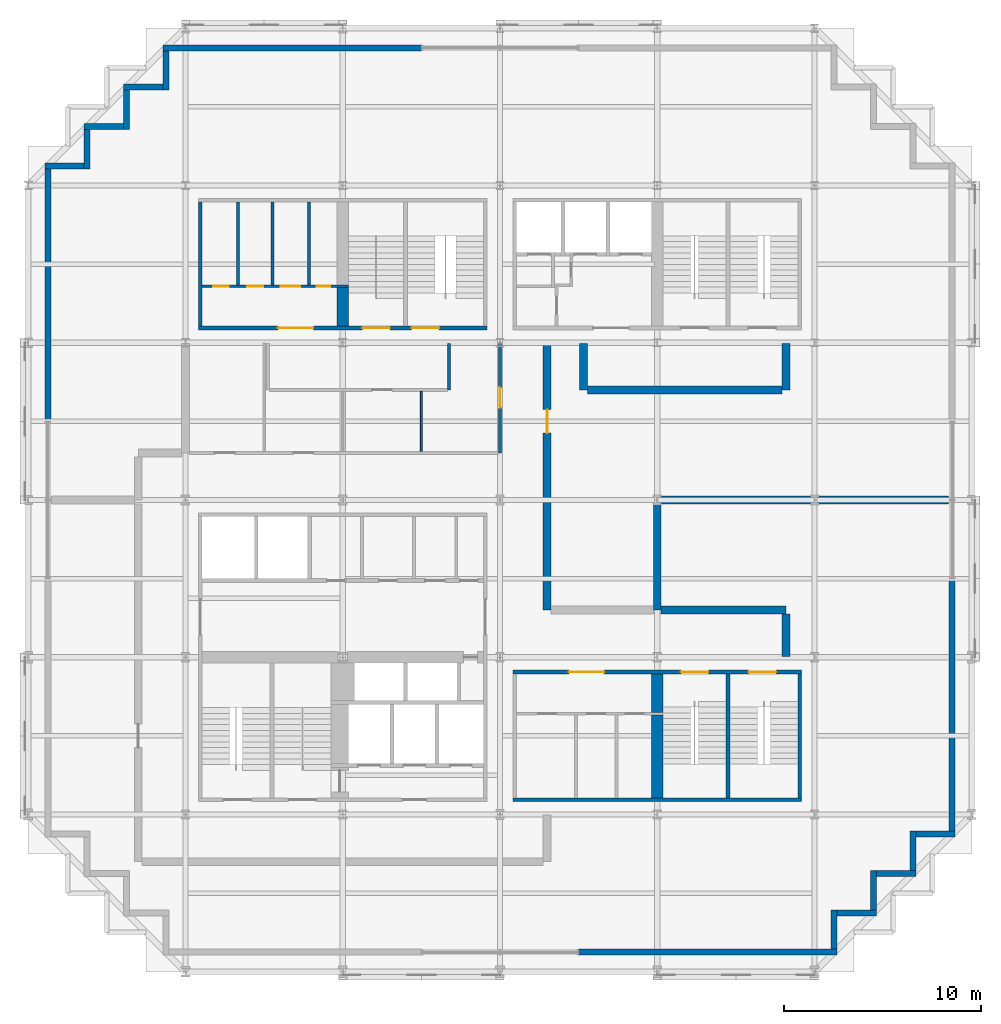
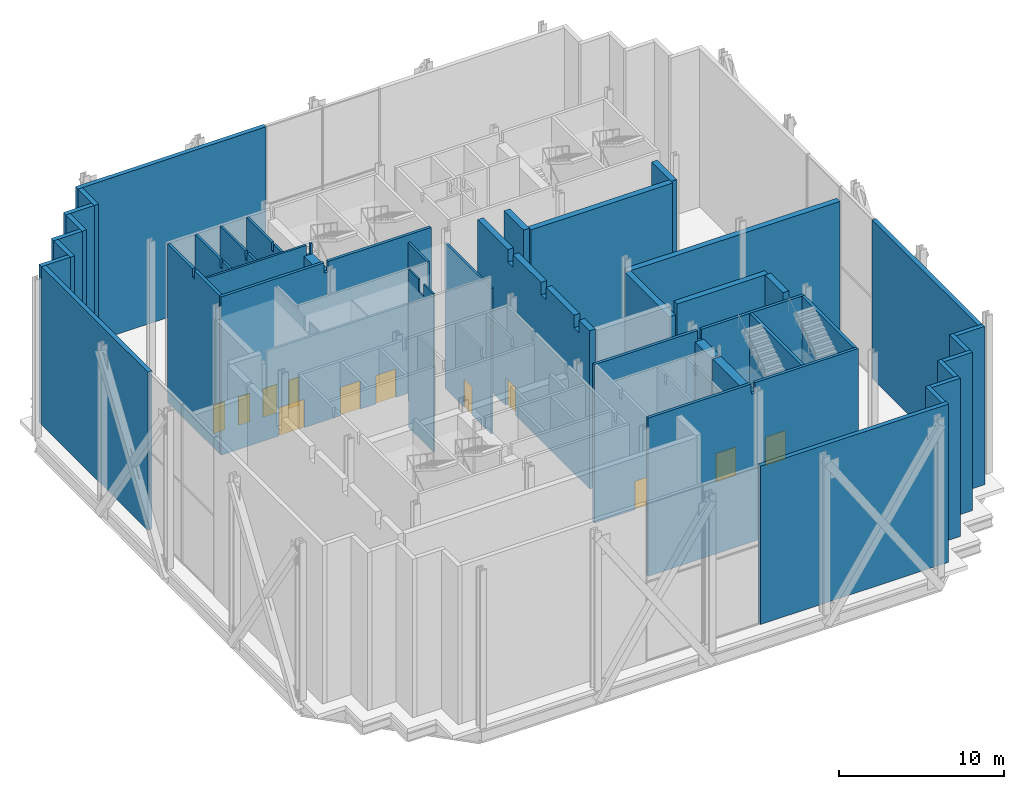
# One storey, part 9 of 14: 40 walls, 12 doors, 12 openings.
"""IFC4 building model written with IfcOpenShell, lengths in metres."""

import ifcopenshell
import ifcopenshell.guid

model = None  # the IFC model being written
_history = None  # IfcOwnerHistory: only IFC2X3 demands one
_inside = {}  # id of a spatial element -> (the spatial element, [elements in it])
_under = {}  # id of a project, library or spatial element -> (it, [spatial elements below it])
_declared = {}  # id of a project -> (the project, [libraries it declares])
_typed = {}  # id of a type object -> (the type object, [elements of that type])
_made_of = {}  # id of a material, layer set ... -> (it, [elements and type objects made of it])


def new_model(schema):
    """Start an empty IFC model of exactly this schema.

    Asked for "IFC4X3", IfcOpenShell would pick the latest addendum, in which some entities
    have other attributes; the version numbers below select the first issue.
    IFC2X3 requires an IfcOwnerHistory on every rooted entity: one is made here for all.
    """
    global model, _history
    if schema == "IFC4X3":
        model = ifcopenshell.file(schema_version=(4, 3, 0, 0))
    else:
        model = ifcopenshell.file(schema=schema)
    _inside.clear()
    _under.clear()
    _declared.clear()
    _typed.clear()
    _made_of.clear()
    _history = None
    if model.schema == "IFC2X3":
        org = make("IfcOrganization", Name="unknown")
        user = make(
            "IfcPersonAndOrganization",
            ThePerson=make("IfcPerson", FamilyName="unknown"),
            TheOrganization=org,
        )
        app = make(
            "IfcApplication",
            ApplicationDeveloper=org,
            Version="unknown",
            ApplicationFullName="unknown",
            ApplicationIdentifier="unknown",
        )
        _history = make(
            "IfcOwnerHistory",
            OwningUser=user,
            OwningApplication=app,
            ChangeAction="ADDED",
            CreationDate=0,
        )
    return model


def make(cls, **values):
    """One entity of the class cls with the attributes given. An attribute that is None is left unset."""
    return model.create_entity(
        cls, **{name: value for name, value in values.items() if value is not None}
    )


def rooted(cls, **values):
    """An entity with a GlobalId (a new one), such as an element, a storey or a relation."""
    return make(cls, GlobalId=ifcopenshell.guid.new(), OwnerHistory=_history, **values)


def si_unit(unit_type, name, prefix=None):
    """IfcSIUnit, for example si_unit("LENGTHUNIT", "METRE", prefix="MILLI")."""
    return make("IfcSIUnit", UnitType=unit_type, Prefix=prefix, Name=name)


def assignment(units):
    """IfcUnitAssignment: the units of a project."""
    return None if units is None else make("IfcUnitAssignment", Units=units)


def point(xyz):
    """IfcCartesianPoint."""
    return None if xyz is None else make("IfcCartesianPoint", Coordinates=xyz)


def direction(xyz):
    """IfcDirection."""
    return None if xyz is None else make("IfcDirection", DirectionRatios=xyz)


def frame(location, z_axis=None, x_axis=None):
    """IfcAxis2Placement3D, a coordinate frame: its origin and axes. An axis left out is left unset."""
    return make(
        "IfcAxis2Placement3D",
        Location=point(location),
        Axis=direction(z_axis),
        RefDirection=direction(x_axis),
    )


def frame_2d(location, x_axis=None):
    """IfcAxis2Placement2D, a coordinate frame in the plane: its origin and x axis."""
    return make(
        "IfcAxis2Placement2D", Location=point(location), RefDirection=direction(x_axis)
    )


def origin():
    """The frame at (0, 0, 0) with its axes left unset."""
    return frame((0.0, 0.0, 0.0))


def place(relative_to, where):
    """IfcLocalPlacement: puts the frame where relative to a parent placement (None: the world)."""
    return make(
        "IfcLocalPlacement", PlacementRelTo=relative_to, RelativePlacement=where
    )


def context(
    kind, dimensions, precision=None, world=None, true_north=None, identifier=None
):
    """IfcGeometricRepresentationContext, for example the 3D "Model" context."""
    return make(
        "IfcGeometricRepresentationContext",
        ContextIdentifier=identifier,
        ContextType=kind,
        CoordinateSpaceDimension=dimensions,
        Precision=precision,
        WorldCoordinateSystem=world,
        TrueNorth=true_north,
    )


def subcontext(parent, identifier, kind, view, scale=None):
    """IfcGeometricRepresentationSubContext, for example "Body" below "Model"."""
    return make(
        "IfcGeometricRepresentationSubContext",
        ContextIdentifier=identifier,
        ContextType=kind,
        ParentContext=parent,
        TargetScale=scale,
        TargetView=view,
    )


def project(units=None, contexts=None):
    """IfcProject with its units and contexts."""
    return rooted(
        "IfcProject",
        Name="project",
        RepresentationContexts=contexts,
        UnitsInContext=assignment(units),
    )


def spatial(cls, under=None, at=None, **own):
    """A site, building, storey or space (cls), placed at a placement, below another one or the project."""
    s = rooted(cls, ObjectPlacement=at, **own)
    if under is not None:
        _under.setdefault(under.id(), (under, []))[1].append(s)
    return s


def polyline(points):
    """IfcPolyline through the points."""
    return make("IfcPolyline", Points=[point(p) for p in points])


def profile(cls, at=None, kind="AREA", **sizes):
    """A parametric profile (cls). Its sizes go by their IFC names, for example OverallWidth=200.0."""
    return make(cls, ProfileType=kind, Position=at, **sizes)


def rectangle(**sizes):
    """IfcRectangleProfileDef."""
    return profile("IfcRectangleProfileDef", **sizes)


def outline(outer, holes=None, kind="AREA"):
    """IfcArbitraryClosedProfileDef: a profile drawn as a closed curve; with holes, ...WithVoids."""
    if holes is None:
        return make("IfcArbitraryClosedProfileDef", ProfileType=kind, OuterCurve=outer)
    return make(
        "IfcArbitraryProfileDefWithVoids",
        ProfileType=kind,
        OuterCurve=outer,
        InnerCurves=holes,
    )


def extrude(swept, where, along, depth):
    """IfcExtrudedAreaSolid: the profile swept, set in the frame where, extruded along a direction by depth."""
    return make(
        "IfcExtrudedAreaSolid",
        SweptArea=swept,
        Position=where,
        ExtrudedDirection=direction(along),
        Depth=depth,
    )


def shape(context_of_items, identifier, shape_type, items):
    """IfcShapeRepresentation: the items that make up one representation, for example the "Body"."""
    return make(
        "IfcShapeRepresentation",
        ContextOfItems=context_of_items,
        RepresentationIdentifier=identifier,
        RepresentationType=shape_type,
        Items=items,
    )


def material(Name=None, Category=None):
    """IfcMaterial."""
    return make("IfcMaterial", Name=Name, Category=Category)


def layer(
    of_material, thickness, ventilated=None, Name=None, Category=None, Priority=None
):
    """IfcMaterialLayer: one layer of a wall or slab, of a material (None: an air gap)."""
    return make(
        "IfcMaterialLayer",
        Material=of_material,
        LayerThickness=thickness,
        IsVentilated=ventilated,
        Name=Name,
        Category=Category,
        Priority=Priority,
    )


def layer_set(layers, Name=None):
    """IfcMaterialLayerSet."""
    return make("IfcMaterialLayerSet", MaterialLayers=layers, LayerSetName=Name)


def made_of(thing, what):
    """Note that an element or type object is made of a material, layer set ...; save() writes the relation."""
    if what is not None:
        _made_of.setdefault(what.id(), (what, []))[1].append(thing)
    return thing


def type_object(cls, material=None, **own):
    """A type object (cls), such as IfcWallType, which elements share."""
    return made_of(rooted(cls, **own), material)


def element(
    cls,
    number,
    at=None,
    inside=None,
    cuts=None,
    type_object=None,
    material=None,
    context=None,
    identifier="Body",
    shape_type=None,
    held_by="IfcProductDefinitionShape",
    body=None,
    shapes=None,
    **own,
):
    """One element of the class cls, such as IfcWall. Its Tag is "e" and its number.

    at: its placement. inside: the storey or other place that contains it. cuts: it is an
    opening in that element (IfcRelVoidsElement). A single representation is given by context,
    identifier, shape_type and body (its items); several are given by shapes. held_by: the class
    of the entity that holds the representations. save() writes the other relations.
    """
    e = rooted(cls, Tag="e%d" % number, ObjectPlacement=at, **own)
    if body is not None:
        shapes = [shape(context, identifier, shape_type, body)]
    if shapes is not None:
        e.Representation = make(held_by, Representations=shapes)
    if inside is not None:
        _inside.setdefault(inside.id(), (inside, []))[1].append(e)
    if cuts is not None:
        rooted(
            "IfcRelVoidsElement", RelatingBuildingElement=cuts, RelatedOpeningElement=e
        )
    if type_object is not None:
        _typed.setdefault(type_object.id(), (type_object, []))[1].append(e)
    return made_of(e, material)


def fill(opening, filler):
    """IfcRelFillsElement: the door or window that sits in an opening."""
    return rooted(
        "IfcRelFillsElement",
        RelatingOpeningElement=opening,
        RelatedBuildingElement=filler,
    )


def aggregate(whole, parts):
    """IfcRelAggregates: a whole, such as a stair, and the parts it consists of."""
    return rooted("IfcRelAggregates", RelatingObject=whole, RelatedObjects=parts)


def save(model, path):
    """Write the relations noted so far, then the file.

    IfcRelAggregates (storeys below a building ...), IfcRelContainedInSpatialStructure (elements
    in a storey), IfcRelDefinesByType, IfcRelAssociatesMaterial and IfcRelDeclares: one each for
    every whole, place, type object, material and project.
    """
    for whole, parts in _under.values():
        aggregate(whole, parts)
    for where, things in _inside.values():
        rooted(
            "IfcRelContainedInSpatialStructure",
            RelatedElements=things,
            RelatingStructure=where,
        )
    for kind, things in _typed.values():
        rooted("IfcRelDefinesByType", RelatedObjects=things, RelatingType=kind)
    for what, things in _made_of.values():
        rooted("IfcRelAssociatesMaterial", RelatedObjects=things, RelatingMaterial=what)
    for by, libraries in _declared.values():
        rooted("IfcRelDeclares", RelatingContext=by, RelatedDefinitions=libraries)
    model.write(path)


model = new_model("IFC4")

# Units and contexts
model_context = context("Model", 3, precision=1e-05, world=origin(), true_north=direction((0.0, 1.0)))
body_context = subcontext(model_context, "Body", "Model", "MODEL_VIEW")
ifc_project = project(units=[si_unit("LENGTHUNIT", "METRE"), si_unit("AREAUNIT", "SQUARE_METRE"), si_unit("VOLUMEUNIT", "CUBIC_METRE"), si_unit("PLANEANGLEUNIT", "RADIAN"), si_unit("MASSUNIT", "GRAM", prefix="KILO")], contexts=[model_context])

# Site, building, storey
site_placement = place(None, origin())
site = spatial("IfcSite", under=ifc_project, at=site_placement, CompositionType="ELEMENT")
building_placement = place(site_placement, origin())
building = spatial("IfcBuilding", under=site, at=building_placement, Name="Immortelle Media Tower", CompositionType="ELEMENT")
storey_placement = place(building_placement, frame((0.0, 0.0, 9.0)))
storey = spatial("IfcBuildingStorey", under=building, at=storey_placement, Name="L01", CompositionType="ELEMENT", Elevation=9.0)

# Wall, openings, doors
ifc_material_1 = material(Name="Fire-rated gypsum board", Category="gypsum")
ifc_layer_1 = layer(ifc_material_1, 0.02490234375)
ifc_material_2 = material(Name="Steel ASTM A653 SS Gr 50 stud frame with mineral wool", Category="steel")
ifc_layer_2 = layer(ifc_material_2, 0.10009765625)
ifc_layer_3 = layer(ifc_material_1, 0.02490234375)
ifc_layer_set_1 = layer_set([ifc_layer_1, ifc_layer_2, ifc_layer_3], Name="Steel ASTM A653 SS Gr 50 stud frame with mineral wool")
wall_type_1 = type_object("IfcWallType", Name="Core partition 150", PredefinedType="PARTITIONING", material=ifc_layer_set_1)
wall_1_placement = place(storey_placement, frame((8.85009765625, 34.875, 0.0), z_axis=(0.0, 0.0, 1.0), x_axis=(1.0, 0.0, 0.0)))
wall_1 = element("IfcWall", 1, at=wall_1_placement, inside=storey, type_object=wall_type_1, Name="Core partition NW", PredefinedType="PARTITIONING", context=body_context, shape_type="SweptSolid", body=[
    extrude(outline(polyline([(0.0, 0.0), (7.449951171875, 0.0), (7.449951171875, 11.699951171875), (7.28857421875, 11.699951171875), (7.28759765625, 10.931884765625), (7.012451171875, 10.931884765625), (7.011474609375, 11.699951171875), (0.0, 11.699951171875), (0.0, 0.0)])), frame((0.0, 0.074951171875, 0.0), z_axis=(0.0, -1.0, 0.0), x_axis=(1.0, 0.0, 0.0)), (0.0, 0.0, 1.0), 0.14990234375),
])
opening_1_placement = place(wall_1_placement, frame((0.550048828125, 0.0, 0.0)))
opening_1 = element("IfcOpeningElement", 2, at=opening_1_placement, cuts=wall_1, Name="Opening P1-K021", PredefinedType="OPENING", context=body_context, shape_type="SweptSolid", body=[
    extrude(rectangle(XDim=0.800048828125, YDim=2.10009765625, at=frame_2d((0.39990234375, 1.050048828125))), frame((0.0, 0.0849609375, 0.0), z_axis=(0.0, -1.0, 0.0), x_axis=(1.0, 0.0, 0.0)), (0.0, 0.0, 1.0), 0.169921875),
])
opening_2_placement = place(wall_1_placement, frame((2.300048828125, 0.0, 0.0)))
opening_2 = element("IfcOpeningElement", 3, at=opening_2_placement, cuts=wall_1, Name="Opening P1-K022", PredefinedType="OPENING", context=body_context, shape_type="SweptSolid", body=[
    extrude(rectangle(XDim=0.800048828125, YDim=2.10009765625, at=frame_2d((0.39990234375, 1.050048828125))), frame((0.0, 0.0849609375, 0.0), z_axis=(0.0, -1.0, 0.0), x_axis=(1.0, 0.0, 0.0)), (0.0, 0.0, 1.0), 0.169921875),
])
opening_3_placement = place(wall_1_placement, frame((4.0, 0.0, 0.0)))
opening_3 = element("IfcOpeningElement", 4, at=opening_3_placement, cuts=wall_1, Name="Opening P1-K023", PredefinedType="OPENING", context=body_context, shape_type="SweptSolid", body=[
    extrude(rectangle(XDim=1.0, YDim=2.10009765625, at=frame_2d((0.5, 1.050048828125))), frame((0.0, 0.0849609375, 0.0), z_axis=(0.0, -1.0, 0.0), x_axis=(1.0, 0.0, 0.0)), (0.0, 0.0, 1.0), 0.169921875),
])
opening_4_placement = place(wall_1_placement, frame((5.824951171875, 0.0, 0.0)))
opening_4 = element("IfcOpeningElement", 5, at=opening_4_placement, cuts=wall_1, Name="Opening P1-K025", PredefinedType="OPENING", context=body_context, shape_type="SweptSolid", body=[
    extrude(rectangle(XDim=0.699951171875, YDim=2.10009765625, at=frame_2d((0.35009765625, 1.050048828125))), frame((0.0, 0.0849609375, 0.0), z_axis=(0.0, -1.0, 0.0), x_axis=(1.0, 0.0, 0.0)), (0.0, 0.0, 1.0), 0.169921875),
])
ifc_material_3 = material(Name="Timber", Category="wood")
door_type_1 = type_object("IfcDoorType", Name="Accessible toilet door 1000 x 2100", OperationType="NOTDEFINED", PredefinedType="NOTDEFINED", material=ifc_material_3)
door_1_placement = place(opening_3_placement, origin())
door_1 = element("IfcDoor", 6, at=door_1_placement, inside=storey, type_object=door_type_1, Name="Accessible toilet P1-K023", OperationType="SINGLE_SWING_RIGHT", OverallHeight=2.10009765625, OverallWidth=1.0, PredefinedType="NOTDEFINED", context=body_context, shape_type="SweptSolid", body=[
    extrude(rectangle(XDim=1.0, YDim=2.10009765625, at=frame_2d((0.5, 1.050048828125))), frame((0.0, 0.02490234375, 0.0), z_axis=(0.0, -1.0, 0.0), x_axis=(1.0, 0.0, 0.0)), (0.0, 0.0, 1.0), 0.050048828125),
])
fill(opening_3, door_1)
ifc_material_4 = material(Name="Galvanised steel door leaf and frame ASTM A653", Category="steel")
door_type_2 = type_object("IfcDoorType", Name="Service door 700 x 2100", OperationType="NOTDEFINED", PredefinedType="NOTDEFINED", material=ifc_material_4)
door_2_placement = place(opening_4_placement, origin())
door_2 = element("IfcDoor", 7, at=door_2_placement, inside=storey, type_object=door_type_2, Name="Service P1-K025", OperationType="SINGLE_SWING_RIGHT", OverallHeight=2.10009765625, OverallWidth=0.699951171875, PredefinedType="NOTDEFINED", context=body_context, shape_type="SweptSolid", body=[
    extrude(rectangle(XDim=0.699951171875, YDim=2.10009765625, at=frame_2d((0.35009765625, 1.050048828125))), frame((0.0, 0.02490234375, 0.0), z_axis=(0.0, -1.0, 0.0), x_axis=(1.0, 0.0, 0.0)), (0.0, 0.0, 1.0), 0.050048828125),
])
fill(opening_4, door_2)
door_type_3 = type_object("IfcDoorType", Name="Toilet door 800 x 2100", OperationType="NOTDEFINED", PredefinedType="NOTDEFINED", material=ifc_material_3)
door_3_placement = place(opening_1_placement, origin())
door_3 = element("IfcDoor", 8, at=door_3_placement, inside=storey, type_object=door_type_3, Name="Toilet P1-K021", OperationType="SINGLE_SWING_RIGHT", OverallHeight=2.10009765625, OverallWidth=0.800048828125, PredefinedType="NOTDEFINED", context=body_context, shape_type="SweptSolid", body=[
    extrude(rectangle(XDim=0.800048828125, YDim=2.10009765625, at=frame_2d((0.39990234375, 1.050048828125))), frame((0.0, 0.02490234375, 0.0), z_axis=(0.0, -1.0, 0.0), x_axis=(1.0, 0.0, 0.0)), (0.0, 0.0, 1.0), 0.050048828125),
])
fill(opening_1, door_3)
door_4_placement = place(opening_2_placement, origin())
door_4 = element("IfcDoor", 9, at=door_4_placement, inside=storey, type_object=door_type_3, Name="Toilet P1-K022", OperationType="SINGLE_SWING_LEFT", OverallHeight=2.10009765625, OverallWidth=0.800048828125, PredefinedType="NOTDEFINED", context=body_context, shape_type="SweptSolid", body=[
    extrude(rectangle(XDim=0.800048828125, YDim=2.10009765625, at=frame_2d((0.39990234375, 1.050048828125))), frame((0.0, 0.02490234375, 0.0), z_axis=(0.0, -1.0, 0.0), x_axis=(1.0, 0.0, 0.0)), (0.0, 0.0, 1.0), 0.050048828125),
])
fill(opening_2, door_4)

# Walls
for number, where, z_axis, x_axis, name in (
    (10, (10.675048828125, 34.949951171875, 0.0), (0.0, 0.0, 1.0), (0.0, 1.0, 0.0), "Core partition NW"),
    (11, (12.425048828125, 34.949951171875, 0.0), (0.0, 0.0, 1.0), (0.0, 1.0, 0.0), "Core partition NW"),
    (12, (14.27490234375, 34.949951171875, 0.0), (0.0, 0.0, 1.0), (0.0, 1.0, 0.0), "Core partition NW"),
):
    element("IfcWall", number, at=place(storey_placement, frame(where, z_axis=z_axis, x_axis=x_axis)), inside=storey, type_object=wall_type_1, Name=name, PredefinedType="PARTITIONING", context=body_context, shape_type="SweptSolid", body=[
        extrude(outline(polyline([(0.0, 0.0), (4.199951171875, 0.0), (4.199951171875, 11.699951171875), (1.16943359375, 11.699951171875), (1.16845703125, 11.08203125), (0.931396484375, 11.08203125), (0.930419921875, 11.699951171875), (0.0, 11.699951171875), (0.0, 0.0)])), frame((0.0, 0.074951171875, 0.0), z_axis=(0.0, -1.0, 0.0), x_axis=(1.0, 0.0, 0.0)), (0.0, 0.0, 1.0), 0.14990234375),
    ])
ifc_layer_4 = layer(ifc_material_1, 0.03759765625)
ifc_layer_5 = layer(ifc_material_2, 0.125)
ifc_layer_6 = layer(ifc_material_1, 0.03759765625)
ifc_layer_set_2 = layer_set([ifc_layer_4, ifc_layer_5, ifc_layer_6], Name="Steel ASTM A653 SS Gr 50 stud frame with mineral wool")
wall_type_2 = type_object("IfcWallType", Name="Core shaft wall 200", PredefinedType="PARTITIONING", material=ifc_layer_set_2)
wall_2_placement = place(storey_placement, frame((8.75, 32.85009765625, 0.0), z_axis=(0.0, 0.0, 1.0), x_axis=(0.0, 1.0, 0.0)))
element("IfcWall", 13, at=wall_2_placement, inside=storey, type_object=wall_type_2, Name="Core shaft wall NW", PredefinedType="PARTITIONING", context=body_context, shape_type="SweptSolid", body=[
    extrude(outline(polyline([(0.0, 0.0), (6.2998046875, 0.0), (6.300048828125, 11.699951171875), (3.26953125, 11.699951171875), (3.2685546875, 11.08203125), (3.031494140625, 11.08203125), (3.030517578125, 11.699951171875), (0.0, 11.699951171875), (0.0, 0.0)])), frame((0.0, 0.10009765625, 0.0), z_axis=(0.0, -1.0, 0.0), x_axis=(1.0, 0.0, 0.0)), (0.0, 0.0, 1.0), 0.199951171875),
])

# Wall, opening, door
ifc_layer_7 = layer(ifc_material_1, 0.012451171875)
ifc_layer_8 = layer(ifc_material_2, 0.125)
ifc_layer_9 = layer(ifc_material_1, 0.012451171875)
ifc_layer_set_3 = layer_set([ifc_layer_7, ifc_layer_8, ifc_layer_9], Name="Steel ASTM A653 SS Gr 50 stud frame with mineral wool")
wall_type_3 = type_object("IfcWallType", Name="Corridor wall 150", PredefinedType="PARTITIONING", material=ifc_layer_set_3)
wall_3_placement = place(storey_placement, frame((24.0, 26.39990234375, 0.0), z_axis=(0.0, 0.0, 1.0), x_axis=(0.0, 1.0, 0.0)))
wall_3 = element("IfcWall", 14, at=wall_3_placement, inside=storey, type_object=wall_type_3, Name="Partition L01-018", PredefinedType="PARTITIONING", context=body_context, shape_type="SweptSolid", body=[
    extrude(rectangle(XDim=5.570068359375, YDim=0.14990234375, at=frame_2d((2.78515625, 0.0))), origin(), (0.0, 0.0, 1.0), 10.77294921875),
])
opening_5_placement = place(wall_3_placement, frame((2.300048828125, 0.0, 0.0)))
opening_5 = element("IfcOpeningElement", 15, at=opening_5_placement, cuts=wall_3, Name="Opening P1-F003", PredefinedType="OPENING", context=body_context, shape_type="SweptSolid", body=[
    extrude(rectangle(XDim=1.0, YDim=2.10009765625, at=frame_2d((0.5, 1.050048828125))), frame((0.0, 0.0849609375, 0.0), z_axis=(0.0, -1.0, 0.0), x_axis=(1.0, 0.0, 0.0)), (0.0, 0.0, 1.0), 0.169921875),
])
ifc_material_5 = material(Name="Timber veneered door leaf, galvanised steel frame ASTM A653", Category="steel")
door_type_4 = type_object("IfcDoorType", Name="Room door 1000 x 2100", OperationType="NOTDEFINED", PredefinedType="DOOR", material=ifc_material_5)
door_5_placement = place(opening_5_placement, origin())
door_5 = element("IfcDoor", 16, at=door_5_placement, inside=storey, type_object=door_type_4, Name="Door P1-F003", OperationType="SINGLE_SWING_LEFT", OverallHeight=2.10009765625, OverallWidth=1.0, PredefinedType="DOOR", context=body_context, shape_type="SweptSolid", body=[
    extrude(rectangle(XDim=1.0, YDim=2.10009765625, at=frame_2d((0.5, 1.050048828125))), frame((0.0, 0.02490234375, 0.0), z_axis=(0.0, -1.0, 0.0), x_axis=(1.0, 0.0, 0.0)), (0.0, 0.0, 1.0), 0.050048828125),
])
fill(opening_5, door_5)

# Walls
wall_4_placement = place(storey_placement, frame((21.39990234375, 29.60009765625, 0.0), z_axis=(0.0, 0.0, 1.0), x_axis=(0.0, 1.0, 0.0)))
element("IfcWall", 17, at=wall_4_placement, inside=storey, type_object=wall_type_3, Name="Partition L01-021", PredefinedType="PARTITIONING", context=body_context, shape_type="SweptSolid", body=[
    extrude(rectangle(XDim=2.369873046875, YDim=0.14990234375, at=frame_2d((1.18505859375, 0.0))), origin(), (0.0, 0.0, 1.0), 11.699951171875),
])
ifc_material_6 = material(Name="Pale aluminium cladding panel", Category="aluminium")
ifc_layer_10 = layer(ifc_material_6, 0.030029296875)
ifc_layer_11 = layer(ifc_material_2, 0.257568359375)
ifc_material_7 = material(Name="Moisture-resistant gypsum board", Category="gypsum")
ifc_layer_12 = layer(ifc_material_7, 0.012451171875)
ifc_layer_set_4 = layer_set([ifc_layer_10, ifc_layer_11, ifc_layer_12], Name="Steel ASTM A653 SS Gr 50 stud frame with mineral wool")
wall_type_4 = type_object("IfcWallType", Name="Pale metal clad wall 300", PredefinedType="STANDARD", material=ifc_layer_set_4)
wall_5_placement = place(storey_placement, frame((28.0, 1.0, 0.0), z_axis=(0.0, 0.0, 1.0), x_axis=(1.0, 0.0, 0.0)))
element("IfcWall", 18, at=wall_5_placement, inside=storey, type_object=wall_type_4, Name="Studio wall L01 S 7-3", PredefinedType="STANDARD", context=body_context, shape_type="SweptSolid", body=[
    extrude(rectangle(XDim=13.14990234375, YDim=0.300048828125, at=frame_2d((6.574951171875, 0.0))), origin(), (0.0, 0.0, 1.0), 11.699951171875),
])
for number, where, z_axis, x_axis, name in (
    (19, (41.0, 1.14990234375, 0.0), (0.0, 0.0, 1.0), (0.0, 1.0, 0.0), "Studio wall L01 E 8"),
    (20, (41.14990234375, 3.0, 0.0), (0.0, 0.0, 1.0), (1.0, 0.0, 0.0), "Studio wall L01 S 9"),
    (21, (43.0, 3.14990234375, 0.0), (0.0, 0.0, 1.0), (0.0, 1.0, 0.0), "Studio wall L01 E 10"),
    (22, (43.14990234375, 5.0, 0.0), (0.0, 0.0, 1.0), (1.0, 0.0, 0.0), "Studio wall L01 S 11"),
    (23, (45.0, 5.14990234375, 0.0), (0.0, 0.0, 1.0), (0.0, 1.0, 0.0), "Studio wall L01 E 12"),
    (24, (45.14990234375, 7.0, 0.0), (0.0, 0.0, 1.0), (1.0, 0.0, 0.0), "Studio wall L01 S 13"),
):
    element("IfcWall", number, at=place(storey_placement, frame(where, z_axis=z_axis, x_axis=x_axis)), inside=storey, type_object=wall_type_4, Name=name, PredefinedType="STANDARD", context=body_context, shape_type="SweptSolid", body=[
        extrude(rectangle(XDim=2.0, YDim=0.300048828125, at=frame_2d((1.0, 0.0))), origin(), (0.0, 0.0, 1.0), 11.699951171875),
    ])
wall_6_placement = place(storey_placement, frame((47.0, 7.14990234375, 0.0), z_axis=(0.0, 0.0, 1.0), x_axis=(0.0, 1.0, 0.0)))
element("IfcWall", 25, at=wall_6_placement, inside=storey, type_object=wall_type_4, Name="Studio wall L01 E 14-1", PredefinedType="STANDARD", context=body_context, shape_type="SweptSolid", body=[
    extrude(rectangle(XDim=12.85009765625, YDim=0.300048828125, at=frame_2d((6.425048828125, 0.0))), origin(), (0.0, 0.0, 1.0), 11.699951171875),
])
wall_7_placement = place(storey_placement, frame((20.0, 47.0, 0.0), z_axis=(0.0, 0.0, 1.0), x_axis=(-1.0, 0.0, 0.0)))
element("IfcWall", 26, at=wall_7_placement, inside=storey, type_object=wall_type_4, Name="Studio wall L01 N 21-3", PredefinedType="STANDARD", context=body_context, shape_type="SweptSolid", body=[
    extrude(rectangle(XDim=13.14990234375, YDim=0.300048828125, at=frame_2d((6.574951171875, 0.0))), origin(), (0.0, 0.0, 1.0), 11.699951171875),
])
for number, where, z_axis, x_axis, name in (
    (27, (7.0, 46.85009765625, 0.0), (0.0, 0.0, 1.0), (0.0, -1.0, 0.0), "Studio wall L01 W 22"),
    (28, (6.85009765625, 45.0, 0.0), (0.0, 0.0, 1.0), (-1.0, 0.0, 0.0), "Studio wall L01 N 23"),
    (29, (5.0, 44.85009765625, 0.0), (0.0, 0.0, 1.0), (0.0, -1.0, 0.0), "Studio wall L01 W 24"),
    (30, (4.85009765625, 43.0, 0.0), (0.0, 0.0, 1.0), (-1.0, 0.0, 0.0), "Studio wall L01 N 25"),
    (31, (3.0, 42.85009765625, 0.0), (0.0, 0.0, 1.0), (0.0, -1.0, 0.0), "Studio wall L01 W 26"),
    (32, (2.85009765625, 41.0, 0.0), (0.0, 0.0, 1.0), (-1.0, 0.0, 0.0), "Studio wall L01 N 27"),
):
    element("IfcWall", number, at=place(storey_placement, frame(where, z_axis=z_axis, x_axis=x_axis)), inside=storey, type_object=wall_type_4, Name=name, PredefinedType="STANDARD", context=body_context, shape_type="SweptSolid", body=[
        extrude(rectangle(XDim=2.0, YDim=0.300048828125, at=frame_2d((1.0, 0.0))), origin(), (0.0, 0.0, 1.0), 11.699951171875),
    ])
wall_8_placement = place(storey_placement, frame((1.0, 40.85009765625, 0.0), z_axis=(0.0, 0.0, 1.0), x_axis=(0.0, -1.0, 0.0)))
element("IfcWall", 33, at=wall_8_placement, inside=storey, type_object=wall_type_4, Name="Studio wall L01 W 28-1", PredefinedType="STANDARD", context=body_context, shape_type="SweptSolid", body=[
    extrude(rectangle(XDim=12.85009765625, YDim=0.300048828125, at=frame_2d((6.425048828125, 0.0))), origin(), (0.0, 0.0, 1.0), 11.699951171875),
])
ifc_material_8 = material(Name="Gypsum board", Category="gypsum")
ifc_layer_13 = layer(ifc_material_8, 0.012451171875)
ifc_layer_14 = layer(ifc_material_2, 0.074951171875)
ifc_layer_15 = layer(ifc_material_8, 0.012451171875)
ifc_layer_set_5 = layer_set([ifc_layer_13, ifc_layer_14, ifc_layer_15], Name="Steel ASTM A653 SS Gr 50 stud frame with mineral wool")
wall_type_5 = type_object("IfcWallType", Name="Partition 100", PredefinedType="PARTITIONING", material=ifc_layer_set_5)
wall_9_placement = place(storey_placement, frame((20.0, 26.47509765625, 0.0), z_axis=(0.0, 0.0, 1.0), x_axis=(0.0, 1.0, 0.0)))
element("IfcWall", 34, at=wall_9_placement, inside=storey, type_object=wall_type_5, Name="Partition L01-017", PredefinedType="PARTITIONING", context=body_context, shape_type="SweptSolid", body=[
    extrude(outline(polyline([(0.0, 0.0), (3.0498046875, 0.0), (3.050048828125, 11.699951171875), (1.824951171875, 11.699951171875), (1.822998046875, 10.77294921875), (1.22705078125, 10.77294921875), (1.22509765625, 11.699951171875), (0.0, 11.699951171875), (0.0, 0.0)])), frame((0.0, 0.050048828125, 0.0), z_axis=(0.0, -1.0, 0.0), x_axis=(1.0, 0.0, 0.0)), (0.0, 0.0, 1.0), 0.10009765625),
])
ifc_material_9 = material(Name="Concrete C60", Category="concrete")
ifc_layer_16 = layer(ifc_material_9, 0.199951171875)
ifc_layer_set_6 = layer_set([ifc_layer_16], Name="Concrete C60")
wall_type_6 = type_object("IfcWallType", Name="Stair shaft wall 200", PredefinedType="PARTITIONING", material=ifc_layer_set_6)
wall_10_placement = place(storey_placement, frame((24.64990234375, 8.75, 0.0), z_axis=(0.0, 0.0, 1.0), x_axis=(1.0, 0.0, 0.0)))
element("IfcWall", 35, at=wall_10_placement, inside=storey, type_object=wall_type_6, Name="Stair shaft wall SE", PredefinedType="PARTITIONING", context=body_context, shape_type="SweptSolid", body=[
    extrude(outline(polyline([(0.0, 0.0), (14.7001953125, 0.0), (14.699951171875, 11.699951171875), (7.488525390625, 11.699951171875), (7.487548828125, 10.931884765625), (7.21240234375, 10.931884765625), (7.21142578125, 11.699951171875), (0.0, 11.699951171875), (0.0, 0.0)])), frame((0.0, 0.10009765625, 0.0), z_axis=(0.0, -1.0, 0.0), x_axis=(1.0, 0.0, 0.0)), (0.0, 0.0, 1.0), 0.199951171875),
])

# Wall, openings, doors
wall_11_placement = place(storey_placement, frame((24.64990234375, 15.25, 0.0), z_axis=(0.0, 0.0, 1.0), x_axis=(1.0, 0.0, 0.0)))
wall_11 = element("IfcWall", 36, at=wall_11_placement, inside=storey, type_object=wall_type_6, Name="Stair shaft wall SE", PredefinedType="PARTITIONING", context=body_context, shape_type="SweptSolid", body=[
    extrude(outline(polyline([(0.0, 0.0), (14.7001953125, 0.0), (14.699951171875, 11.699951171875), (7.488525390625, 11.699951171875), (7.487548828125, 10.931884765625), (7.21240234375, 10.931884765625), (7.21142578125, 11.699951171875), (0.0, 11.699951171875), (0.0, 0.0)])), frame((0.0, 0.10009765625, 0.0), z_axis=(0.0, -1.0, 0.0), x_axis=(1.0, 0.0, 0.0)), (0.0, 0.0, 1.0), 0.199951171875),
])
opening_6_placement = place(wall_11_placement, frame((2.85009765625, 0.0, 0.0)))
opening_6 = element("IfcOpeningElement", 37, at=opening_6_placement, cuts=wall_11, Name="Opening P1-K016", PredefinedType="OPENING", context=body_context, shape_type="SweptSolid", body=[
    extrude(rectangle(XDim=1.800048828125, YDim=2.10009765625, at=frame_2d((0.89990234375, 1.050048828125))), frame((0.0, 0.10986328125, 0.0), z_axis=(0.0, -1.0, 0.0), x_axis=(1.0, 0.0, 0.0)), (0.0, 0.0, 1.0), 0.219970703125),
])
opening_7_placement = place(wall_11_placement, frame((9.949951171875, 0.0, 0.0), z_axis=(0.0, 0.0, 1.0), x_axis=(-1.0, 0.0, 0.0)))
opening_7 = element("IfcOpeningElement", 38, at=opening_7_placement, cuts=wall_11, Name="Opening P1-K019", PredefinedType="OPENING", context=body_context, shape_type="SweptSolid", body=[
    extrude(rectangle(XDim=1.39990234375, YDim=2.10009765625, at=frame_2d((0.699951171875, 1.050048828125))), frame((0.0, 0.10986328125, 0.0), z_axis=(0.0, -1.0, 0.0), x_axis=(1.0, 0.0, 0.0)), (0.0, 0.0, 1.0), 0.219970703125),
])
opening_8_placement = place(wall_11_placement, frame((13.39990234375, 0.0, 0.0), z_axis=(0.0, 0.0, 1.0), x_axis=(-1.0, 0.0, 0.0)))
opening_8 = element("IfcOpeningElement", 39, at=opening_8_placement, cuts=wall_11, Name="Opening P1-K020", PredefinedType="OPENING", context=body_context, shape_type="SweptSolid", body=[
    extrude(rectangle(XDim=1.39990234375, YDim=2.10009765625, at=frame_2d((0.699951171875, 1.050048828125))), frame((0.0, 0.10986328125, 0.0), z_axis=(0.0, -1.0, 0.0), x_axis=(1.0, 0.0, 0.0)), (0.0, 0.0, 1.0), 0.219970703125),
])
door_type_5 = type_object("IfcDoorType", Name="Lift lobby door 1800 x 2100", OperationType="DOUBLE_DOOR_SINGLE_SWING", PredefinedType="NOTDEFINED", material=ifc_material_4)
door_6_placement = place(opening_6_placement, origin())
door_6 = element("IfcDoor", 40, at=door_6_placement, inside=storey, type_object=door_type_5, Name="Lift lobby P1-K016", OperationType="DOUBLE_DOOR_SINGLE_SWING", OverallHeight=2.10009765625, OverallWidth=1.800048828125, PredefinedType="NOTDEFINED", context=body_context, shape_type="SweptSolid", body=[
    extrude(rectangle(XDim=1.800048828125, YDim=2.10009765625, at=frame_2d((0.89990234375, 1.050048828125))), frame((0.0, 0.02490234375, 0.0), z_axis=(0.0, -1.0, 0.0), x_axis=(1.0, 0.0, 0.0)), (0.0, 0.0, 1.0), 0.050048828125),
])
fill(opening_6, door_6)
door_type_6 = type_object("IfcDoorType", Name="Stair door 1400 x 2100", OperationType="DOUBLE_DOOR_SINGLE_SWING", PredefinedType="NOTDEFINED", material=ifc_material_4)
door_7_placement = place(opening_7_placement, origin())
door_7 = element("IfcDoor", 41, at=door_7_placement, inside=storey, type_object=door_type_6, Name="Stair P1-K019", OperationType="DOUBLE_DOOR_SINGLE_SWING", OverallHeight=2.10009765625, OverallWidth=1.39990234375, PredefinedType="NOTDEFINED", context=body_context, shape_type="SweptSolid", body=[
    extrude(rectangle(XDim=1.39990234375, YDim=2.10009765625, at=frame_2d((0.699951171875, 1.050048828125))), frame((0.0, 0.02490234375, 0.0), z_axis=(0.0, -1.0, 0.0), x_axis=(1.0, 0.0, 0.0)), (0.0, 0.0, 1.0), 0.050048828125),
])
fill(opening_7, door_7)
door_8_placement = place(opening_8_placement, origin())
door_8 = element("IfcDoor", 42, at=door_8_placement, inside=storey, type_object=door_type_6, Name="Stair P1-K020", OperationType="DOUBLE_DOOR_SINGLE_SWING", OverallHeight=2.10009765625, OverallWidth=1.39990234375, PredefinedType="NOTDEFINED", context=body_context, shape_type="SweptSolid", body=[
    extrude(rectangle(XDim=1.39990234375, YDim=2.10009765625, at=frame_2d((0.699951171875, 1.050048828125))), frame((0.0, 0.02490234375, 0.0), z_axis=(0.0, -1.0, 0.0), x_axis=(1.0, 0.0, 0.0)), (0.0, 0.0, 1.0), 0.050048828125),
])
fill(opening_8, door_8)

# Walls
for number, where, z_axis, x_axis, name in (
    (43, (35.60009765625, 8.85009765625, 0.0), (0.0, 0.0, 1.0), (0.0, 1.0, 0.0), "Stair shaft wall SE"),
    (44, (39.25, 8.85009765625, 0.0), (0.0, 0.0, 1.0), (0.0, 1.0, 0.0), "Stair shaft wall SE"),
):
    element("IfcWall", number, at=place(storey_placement, frame(where, z_axis=z_axis, x_axis=x_axis)), inside=storey, type_object=wall_type_6, Name=name, PredefinedType="PARTITIONING", context=body_context, shape_type="SweptSolid", body=[
        extrude(rectangle(XDim=6.2998046875, YDim=0.199951171875, at=frame_2d((3.14990234375, 0.0))), origin(), (0.0, 0.0, 1.0), 11.699951171875),
    ])

# Wall, openings, doors
wall_12_placement = place(storey_placement, frame((8.64990234375, 32.75, 0.0), z_axis=(0.0, 0.0, 1.0), x_axis=(1.0, 0.0, 0.0)))
wall_12 = element("IfcWall", 45, at=wall_12_placement, inside=storey, type_object=wall_type_6, Name="Stair shaft wall NW", PredefinedType="PARTITIONING", context=body_context, shape_type="SweptSolid", body=[
    extrude(outline(polyline([(0.0, 0.0), (14.7001953125, 0.0), (14.699951171875, 11.699951171875), (7.488525390625, 11.699951171875), (7.487548828125, 10.931884765625), (7.21240234375, 10.931884765625), (7.21142578125, 11.699951171875), (0.0, 11.699951171875), (0.0, 0.0)])), frame((0.0, 0.10009765625, 0.0), z_axis=(0.0, -1.0, 0.0), x_axis=(1.0, 0.0, 0.0)), (0.0, 0.0, 1.0), 0.199951171875),
])
opening_9_placement = place(wall_12_placement, frame((4.050048828125, 0.0, 0.0)))
opening_9 = element("IfcOpeningElement", 46, at=opening_9_placement, cuts=wall_12, Name="Opening P1-K024", PredefinedType="OPENING", context=body_context, shape_type="SweptSolid", body=[
    extrude(rectangle(XDim=1.800048828125, YDim=2.10009765625, at=frame_2d((0.89990234375, 1.050048828125))), frame((0.0, 0.10986328125, 0.0), z_axis=(0.0, -1.0, 0.0), x_axis=(1.0, 0.0, 0.0)), (0.0, 0.0, 1.0), 0.219970703125),
])
opening_10_placement = place(wall_12_placement, frame((8.35009765625, 0.0, 0.0)))
opening_10 = element("IfcOpeningElement", 47, at=opening_10_placement, cuts=wall_12, Name="Opening P1-K026", PredefinedType="OPENING", context=body_context, shape_type="SweptSolid", body=[
    extrude(rectangle(XDim=1.39990234375, YDim=2.10009765625, at=frame_2d((0.699951171875, 1.050048828125))), frame((0.0, 0.10986328125, 0.0), z_axis=(0.0, -1.0, 0.0), x_axis=(1.0, 0.0, 0.0)), (0.0, 0.0, 1.0), 0.219970703125),
])
opening_11_placement = place(wall_12_placement, frame((10.85009765625, 0.0, 0.0)))
opening_11 = element("IfcOpeningElement", 48, at=opening_11_placement, cuts=wall_12, Name="Opening P1-K027", PredefinedType="OPENING", context=body_context, shape_type="SweptSolid", body=[
    extrude(rectangle(XDim=1.39990234375, YDim=2.10009765625, at=frame_2d((0.699951171875, 1.050048828125))), frame((0.0, 0.10986328125, 0.0), z_axis=(0.0, -1.0, 0.0), x_axis=(1.0, 0.0, 0.0)), (0.0, 0.0, 1.0), 0.219970703125),
])
door_9_placement = place(opening_9_placement, origin())
door_9 = element("IfcDoor", 49, at=door_9_placement, inside=storey, type_object=door_type_5, Name="Lift lobby P1-K024", OperationType="DOUBLE_DOOR_SINGLE_SWING", OverallHeight=2.10009765625, OverallWidth=1.800048828125, PredefinedType="NOTDEFINED", context=body_context, shape_type="SweptSolid", body=[
    extrude(rectangle(XDim=1.800048828125, YDim=2.10009765625, at=frame_2d((0.89990234375, 1.050048828125))), frame((0.0, 0.02490234375, 0.0), z_axis=(0.0, -1.0, 0.0), x_axis=(1.0, 0.0, 0.0)), (0.0, 0.0, 1.0), 0.050048828125),
])
fill(opening_9, door_9)
door_10_placement = place(opening_10_placement, origin())
door_10 = element("IfcDoor", 50, at=door_10_placement, inside=storey, type_object=door_type_6, Name="Stair P1-K026", OperationType="DOUBLE_DOOR_SINGLE_SWING", OverallHeight=2.10009765625, OverallWidth=1.39990234375, PredefinedType="NOTDEFINED", context=body_context, shape_type="SweptSolid", body=[
    extrude(rectangle(XDim=1.39990234375, YDim=2.10009765625, at=frame_2d((0.699951171875, 1.050048828125))), frame((0.0, 0.02490234375, 0.0), z_axis=(0.0, -1.0, 0.0), x_axis=(1.0, 0.0, 0.0)), (0.0, 0.0, 1.0), 0.050048828125),
])
fill(opening_10, door_10)
door_11_placement = place(opening_11_placement, origin())
door_11 = element("IfcDoor", 51, at=door_11_placement, inside=storey, type_object=door_type_6, Name="Stair P1-K027", OperationType="DOUBLE_DOOR_SINGLE_SWING", OverallHeight=2.10009765625, OverallWidth=1.39990234375, PredefinedType="NOTDEFINED", context=body_context, shape_type="SweptSolid", body=[
    extrude(rectangle(XDim=1.39990234375, YDim=2.10009765625, at=frame_2d((0.699951171875, 1.050048828125))), frame((0.0, 0.02490234375, 0.0), z_axis=(0.0, -1.0, 0.0), x_axis=(1.0, 0.0, 0.0)), (0.0, 0.0, 1.0), 0.050048828125),
])
fill(opening_11, door_11)

# Walls
ifc_layer_17 = layer(ifc_material_9, 0.60009765625)
ifc_layer_set_7 = layer_set([ifc_layer_17], Name="Concrete C60")
wall_type_7 = type_object("IfcWallType", Name="Stair shaft wall 600", PredefinedType="PARTITIONING", material=ifc_layer_set_7)
wall_13_placement = place(storey_placement, frame((32.0, 8.85009765625, 0.0), z_axis=(0.0, 0.0, 1.0), x_axis=(0.0, 1.0, 0.0)))
element("IfcWall", 52, at=wall_13_placement, inside=storey, type_object=wall_type_7, Name="Stair shaft wall SE", PredefinedType="PARTITIONING", context=body_context, shape_type="SweptSolid", body=[
    extrude(rectangle(XDim=4.199951171875, YDim=0.60009765625, at=frame_2d((2.10009765625, 0.0))), origin(), (0.0, 0.0, 1.0), 10.931884765625),
])
for number, where, z_axis, x_axis, name in (
    (53, (32.0, 13.199951171875, 0.0), (0.0, 0.0, 1.0), (0.0, 1.0, 0.0), "Stair shaft wall SE"),
    (54, (16.0, 32.85009765625, 0.0), (0.0, 0.0, 1.0), (0.0, 1.0, 0.0), "Stair shaft wall NW"),
):
    element("IfcWall", number, at=place(storey_placement, frame(where, z_axis=z_axis, x_axis=x_axis)), inside=storey, type_object=wall_type_7, Name=name, PredefinedType="PARTITIONING", context=body_context, shape_type="SweptSolid", body=[
        extrude(rectangle(XDim=1.949951171875, YDim=0.60009765625, at=frame_2d((0.97509765625, 0.0))), origin(), (0.0, 0.0, 1.0), 10.931884765625),
    ])
ifc_material_10 = material(Name="Acoustic masonry blockwork", Category="masonry")
ifc_layer_18 = layer(ifc_material_10, 0.39990234375)
ifc_layer_set_8 = layer_set([ifc_layer_18], Name="Acoustic masonry blockwork")
wall_type_8 = type_object("IfcWallType", Name="Studio shell 400", PredefinedType="PARTITIONING", material=ifc_layer_set_8)
wall_14_placement = place(storey_placement, frame((38.550048828125, 16.030029296875, 0.0), z_axis=(0.0, 0.0, 1.0), x_axis=(0.0, 1.0, 0.0)))
element("IfcWall", 55, at=wall_14_placement, inside=storey, type_object=wall_type_8, Name="Partition L01-004", PredefinedType="PARTITIONING", context=body_context, shape_type="SweptSolid", body=[
    extrude(rectangle(XDim=2.169921875, YDim=0.39990234375, at=frame_2d((1.0849609375, 0.0))), origin(), (0.0, 0.0, 1.0), 11.699951171875),
])

# Wall, opening, door
wall_15_placement = place(storey_placement, frame((26.39990234375, 18.39990234375, 0.0), z_axis=(0.0, 0.0, 1.0), x_axis=(0.0, 1.0, 0.0)))
wall_15 = element("IfcWall", 56, at=wall_15_placement, inside=storey, type_object=wall_type_8, Name="Partition L01-006", PredefinedType="PARTITIONING", context=body_context, shape_type="SweptSolid", body=[
    extrude(outline(polyline([(0.0, 0.0), (13.570068359375, 0.0), (13.570068359375, 11.699951171875), (9.89990234375, 11.699951171875), (9.89794921875, 10.77294921875), (9.302001953125, 10.77294921875), (9.300048828125, 11.699951171875), (5.89990234375, 11.699951171875), (5.89794921875, 10.77294921875), (5.302001953125, 10.77294921875), (5.300048828125, 11.699951171875), (1.89990234375, 11.699951171875), (1.89794921875, 10.77294921875), (1.302001953125, 10.77294921875), (1.300048828125, 11.699951171875), (0.0, 11.699951171875), (0.0, 0.0)])), frame((0.0, 0.199951171875, 0.0), z_axis=(0.0, -1.0, 0.0), x_axis=(1.0, 0.0, 0.0)), (0.0, 0.0, 1.0), 0.39990234375),
])
opening_12_placement = place(wall_15_placement, frame((10.199951171875, 0.0, 0.0), z_axis=(0.0, 0.0, 1.0), x_axis=(-1.0, 0.0, 0.0)))
opening_12 = element("IfcOpeningElement", 57, at=opening_12_placement, cuts=wall_15, Name="Opening P1-F006", PredefinedType="OPENING", context=body_context, shape_type="SweptSolid", body=[
    extrude(rectangle(XDim=1.199951171875, YDim=2.10009765625, at=frame_2d((0.60009765625, 1.050048828125))), frame((0.0, 0.2099609375, 0.0), z_axis=(0.0, -1.0, 0.0), x_axis=(1.0, 0.0, 0.0)), (0.0, 0.0, 1.0), 0.419921875),
])
ifc_material_11 = material(Name="Acoustic timber core door leaf", Category="wood")
door_type_7 = type_object("IfcDoorType", Name="Studio door 1200 x 2100 acoustic", OperationType="NOTDEFINED", PredefinedType="DOOR", material=ifc_material_11)
door_12_placement = place(opening_12_placement, origin())
door_12 = element("IfcDoor", 58, at=door_12_placement, inside=storey, type_object=door_type_7, Name="Door P1-F006", OperationType="SINGLE_SWING_LEFT", OverallHeight=2.10009765625, OverallWidth=1.199951171875, PredefinedType="DOOR", context=body_context, shape_type="SweptSolid", body=[
    extrude(rectangle(XDim=1.199951171875, YDim=2.10009765625, at=frame_2d((0.60009765625, 1.050048828125))), frame((0.0, 0.02490234375, 0.0), z_axis=(0.0, -1.0, 0.0), x_axis=(1.0, 0.0, 0.0)), (0.0, 0.0, 1.0), 0.050048828125),
])
fill(opening_12, door_12)

# Walls
wall_16_placement = place(storey_placement, frame((32.199951171875, 18.39990234375, 0.0), z_axis=(0.0, 0.0, 1.0), x_axis=(1.0, 0.0, 0.0)))
element("IfcWall", 59, at=wall_16_placement, inside=storey, type_object=wall_type_8, Name="Partition L01-007", PredefinedType="PARTITIONING", context=body_context, shape_type="SweptSolid", body=[
    extrude(rectangle(XDim=6.35009765625, YDim=0.39990234375, at=frame_2d((3.175048828125, 0.0))), origin(), (0.0, 0.0, 1.0), 11.699951171875),
])
wall_17_placement = place(storey_placement, frame((32.0, 18.39990234375, 0.0), z_axis=(0.0, 0.0, 1.0), x_axis=(0.0, 1.0, 0.0)))
element("IfcWall", 60, at=wall_17_placement, inside=storey, type_object=wall_type_8, Name="Partition L01-008", PredefinedType="PARTITIONING", context=body_context, shape_type="SweptSolid", body=[
    extrude(rectangle(XDim=5.400146484375, YDim=0.39990234375, at=frame_2d((2.7001953125, 0.0))), origin(), (0.0, 0.0, 1.0), 10.77294921875),
])
wall_18_placement = place(storey_placement, frame((32.0, 24.0, 0.0), z_axis=(0.0, 0.0, 1.0), x_axis=(1.0, 0.0, 0.0)))
element("IfcWall", 61, at=wall_18_placement, inside=storey, type_object=wall_type_8, Name="Partition L01-011", PredefinedType="PARTITIONING", context=body_context, shape_type="SweptSolid", body=[
    extrude(rectangle(XDim=14.820068359375, YDim=0.39990234375, at=frame_2d((7.41015625, 0.0))), origin(), (0.0, 0.0, 1.0), 10.77294921875),
])
wall_19_placement = place(storey_placement, frame((28.449951171875, 29.60009765625, 0.0), z_axis=(0.0, 0.0, 1.0), x_axis=(1.0, 0.0, 0.0)))
element("IfcWall", 62, at=wall_19_placement, inside=storey, type_object=wall_type_8, Name="Partition L01-022", PredefinedType="PARTITIONING", context=body_context, shape_type="SweptSolid", body=[
    extrude(rectangle(XDim=9.900146484375, YDim=0.39990234375, at=frame_2d((4.9501953125, 0.0))), origin(), (0.0, 0.0, 1.0), 11.699951171875),
])
for number, where, z_axis, x_axis, name in (
    (63, (28.25, 29.60009765625, 0.0), (0.0, 0.0, 1.0), (0.0, 1.0, 0.0), "Partition L01-023"),
    (64, (38.550048828125, 29.60009765625, 0.0), (0.0, 0.0, 1.0), (0.0, 1.0, 0.0), "Partition L01-024"),
):
    element("IfcWall", number, at=place(storey_placement, frame(where, z_axis=z_axis, x_axis=x_axis)), inside=storey, type_object=wall_type_8, Name=name, PredefinedType="PARTITIONING", context=body_context, shape_type="SweptSolid", body=[
        extrude(rectangle(XDim=2.369873046875, YDim=0.39990234375, at=frame_2d((1.18505859375, 0.0))), origin(), (0.0, 0.0, 1.0), 11.699951171875),
    ])

save(model, "model.ifc")
